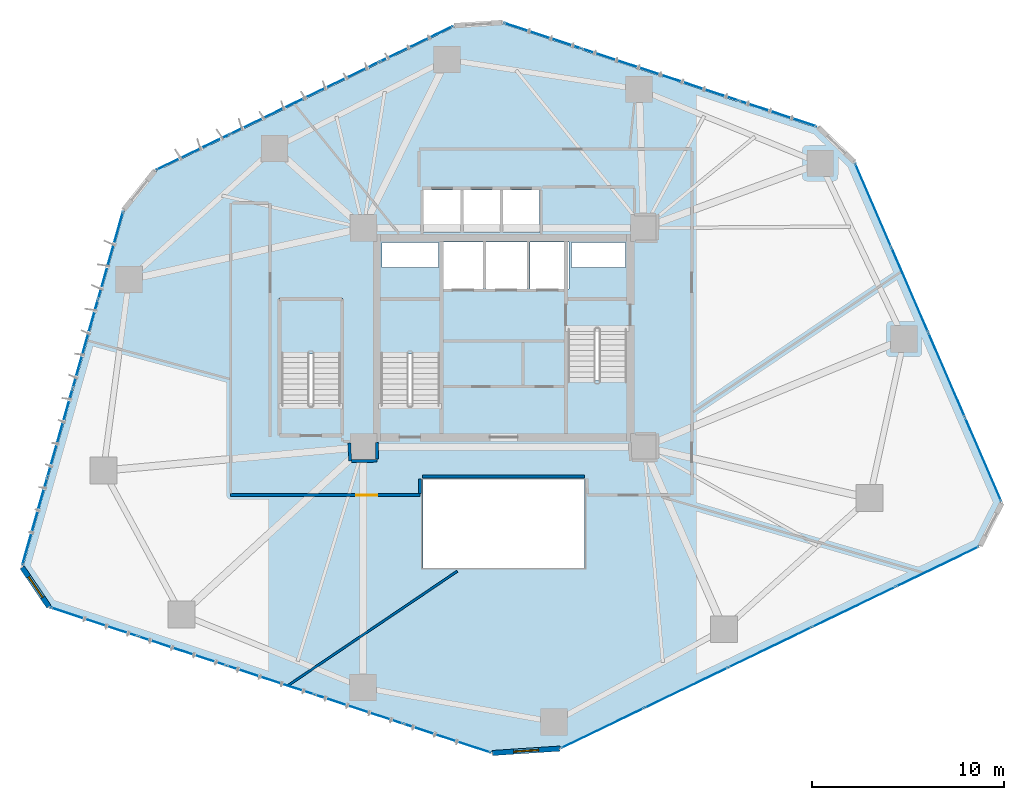
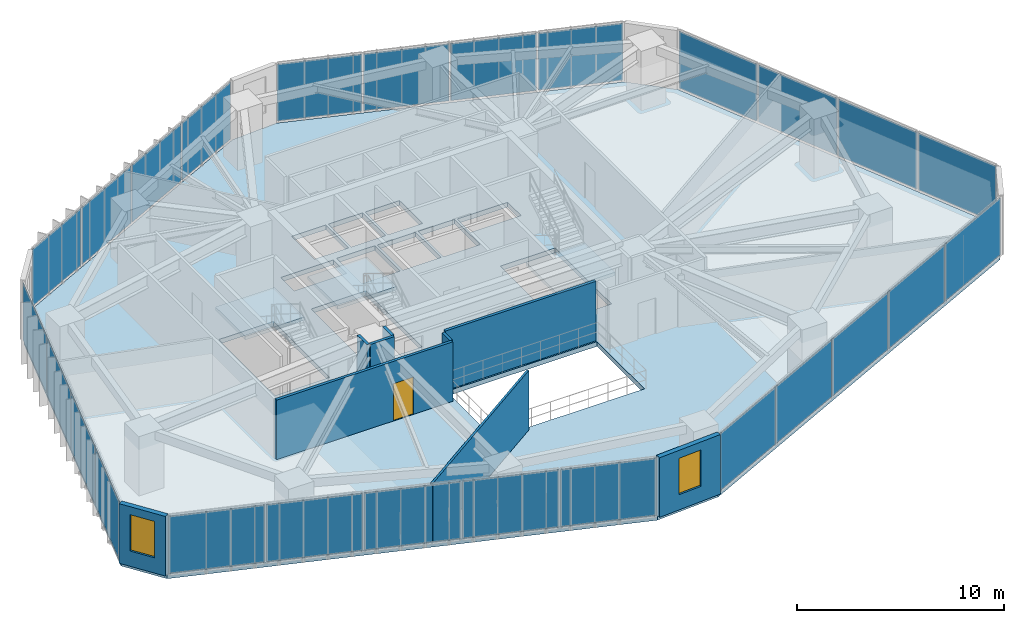
# One storey, part 17 of 23: 26 plates, 9 walls, 4 slabs, 2 windows, 1 door, 3 openings, 9 elements without a shape of their own.
"""IFC4 building model written with IfcOpenShell, lengths in metres."""

from ifc_helpers import new_model, si_unit, direction, frame, frame_2d, origin, origin_2d, place, context, subcontext, project, spatial, polyline, rectangle, outline, extrude, source, transform, mapped, material, layer, layer_set, type_object, type_shapes, element, fill, aggregate, save


model = new_model("IFC4")

# Units and contexts
model_context = context("Model", 3, precision=1e-05, world=origin(), true_north=direction((0.0, 1.0)))
body_context = subcontext(model_context, "Body", "Model", "MODEL_VIEW")
ifc_project = project(units=[si_unit("LENGTHUNIT", "METRE"), si_unit("AREAUNIT", "SQUARE_METRE"), si_unit("VOLUMEUNIT", "CUBIC_METRE"), si_unit("PLANEANGLEUNIT", "RADIAN"), si_unit("MASSUNIT", "GRAM", prefix="KILO")], contexts=[model_context])

# Site, building, storey
site_placement = place(None, origin())
site = spatial("IfcSite", under=ifc_project, at=site_placement, CompositionType="ELEMENT")
building_placement = place(site_placement, origin())
building = spatial("IfcBuilding", under=site, at=building_placement, Name="Talar Marvaseh", CompositionType="ELEMENT")
storey_placement = place(building_placement, frame((0.0, 0.0, 35.39990234375)))
storey = spatial("IfcBuildingStorey", under=building, at=storey_placement, Name="L08", CompositionType="ELEMENT", Elevation=35.39990234375)

# Stair, slab
ifc_material_1 = material(Name="Concrete C40/50", Category="concrete")
stair_type = type_object("IfcStairType", Name="Reinforced Concrete Half-Turn Exit Stair Type B", PredefinedType="HALF_TURN_STAIR", material=ifc_material_1)
stair_1_placement = place(storey_placement, origin())
stair_1 = element("IfcStair", 1, at=stair_1_placement, inside=storey, type_object=stair_type, Name="L08 Tower West Core Exit Stair", PredefinedType="HALF_TURN_STAIR")
ifc_layer_1 = layer(ifc_material_1, 0.199951171875)
ifc_layer_set_1 = layer_set([ifc_layer_1], Name="Concrete C40/50")
slab_type_1 = type_object("IfcSlabType", Name="Reinforced Concrete Stair Half-Landing Slab 200", PredefinedType="LANDING", material=ifc_layer_set_1)
slab_1_placement = place(storey_placement, frame((0.0, 0.0, 1.7001953125)))
slab_1 = element("IfcSlab", 2, at=slab_1_placement, type_object=slab_type_1, Name="ST-1 landing 1", PredefinedType="LANDING", context=body_context, shape_type="SweptSolid", body=[
    extrude(outline(polyline([(22.780029296875, 30.330078125), (22.780029296875, 33.219970703125), (19.47998046875, 33.219970703125), (19.47998046875, 30.330078125), (22.780029296875, 30.330078125)])), origin(), (0.0, 0.0, 1.0), 0.199951171875),
])
aggregate(stair_1, [slab_1])

stair_2_placement = place(storey_placement, origin())
stair_2 = element("IfcStair", 3, at=stair_2_placement, inside=storey, type_object=stair_type, Name="L08 Tower East Core Exit Stair", PredefinedType="HALF_TURN_STAIR")
slab_2_placement = place(storey_placement, frame((0.0, 0.0, 1.7001953125)))
slab_2 = element("IfcSlab", 4, at=slab_2_placement, type_object=slab_type_1, Name="ST-2 landing 1", PredefinedType="LANDING", context=body_context, shape_type="SweptSolid", body=[
    extrude(outline(polyline([(29.219970703125, 28.969970703125), (29.219970703125, 26.080078125), (32.52001953125, 26.080078125), (32.52001953125, 28.969970703125), (29.219970703125, 28.969970703125)])), origin(), (0.0, 0.0, 1.0), 0.199951171875),
])
aggregate(stair_2, [slab_2])

stair_3_placement = place(storey_placement, origin())
stair_3 = element("IfcStair", 5, at=stair_3_placement, inside=storey, type_object=stair_type, Name="L08 Museum & Podium Auxiliary Exit Stair", PredefinedType="HALF_TURN_STAIR")
slab_3_placement = place(storey_placement, frame((0.0, 0.0, 1.7001953125)))
slab_3 = element("IfcSlab", 6, at=slab_3_placement, type_object=slab_type_1, Name="ST-3 landing 1", PredefinedType="LANDING", context=body_context, shape_type="SweptSolid", body=[
    extrude(outline(polyline([(17.6201171875, 30.330078125), (17.6201171875, 33.219970703125), (14.320068359375, 33.219970703125), (14.320068359375, 30.330078125), (17.6201171875, 30.330078125)])), origin(), (0.0, 0.0, 1.0), 0.199951171875),
])
aggregate(stair_3, [slab_3])

# Slab
ifc_layer_2 = layer(ifc_material_1, 0.280029296875)
ifc_layer_set_2 = layer_set([ifc_layer_2], Name="Concrete C40/50")
slab_type_2 = type_object("IfcSlabType", Name="Structural Suspended Floor Slab 280", PredefinedType="FLOOR", material=ifc_layer_set_2)
slab_4_placement = place(storey_placement, frame((0.0, 0.0, -0.27978515625)))
element("IfcSlab", 7, at=slab_4_placement, inside=storey, type_object=slab_type_2, Name="L08 Tower Floor Slab", PredefinedType="FLOOR", context=body_context, shape_type="SweptSolid", body=[
    extrude(outline(polyline([(2.389892578125, 17.2197265625), (0.994384765625, 19.27490234375), (6.27392578125, 37.803955078125), (7.911376953125, 39.853515625), (23.437255859375, 47.364990234375), (25.947998046875, 47.529541015625), (42.321533203125, 42.10888671875), (44.21240234375, 40.29052734375), (51.865234375, 22.609130859375), (50.75, 20.389404296875), (28.927490234375, 9.86767578125), (25.39892578125, 9.636474609375), (2.389892578125, 17.2197265625)]), holes=[polyline([(22.659912109375, 27.64990234375), (22.659912109375, 33.10009765625), (19.60009765625, 33.10009765625), (19.60009765625, 27.64990234375), (22.659912109375, 27.64990234375)]), polyline([(29.340087890625, 31.64990234375), (29.340087890625, 26.199951171875), (32.39990234375, 26.199951171875), (32.39990234375, 31.64990234375), (29.340087890625, 31.64990234375)]), polyline([(17.5, 27.64990234375), (17.5, 33.10009765625), (14.43994140625, 33.10009765625), (14.43994140625, 27.64990234375), (17.5, 27.64990234375)]), polyline([(22.800048828125, 33.719970703125), (24.93994140625, 33.719970703125), (24.93994140625, 36.179931640625), (22.800048828125, 36.179931640625), (22.800048828125, 33.719970703125)]), polyline([(25.080078125, 33.719970703125), (27.219970703125, 33.719970703125), (27.219970703125, 36.179931640625), (25.080078125, 36.179931640625), (25.080078125, 33.719970703125)]), polyline([(27.360107421875, 33.719970703125), (29.39990234375, 33.719970703125), (29.39990234375, 36.179931640625), (27.360107421875, 36.179931640625), (27.360107421875, 33.719970703125)]), polyline([(21.840087890625, 36.659912109375), (23.760009765625, 36.659912109375), (23.760009765625, 38.8798828125), (21.840087890625, 38.8798828125), (21.840087890625, 36.659912109375)]), polyline([(23.89990234375, 36.659912109375), (25.820068359375, 36.659912109375), (25.820068359375, 38.8798828125), (23.89990234375, 38.8798828125), (23.89990234375, 36.659912109375)]), polyline([(25.9599609375, 36.659912109375), (27.8798828125, 36.659912109375), (27.8798828125, 38.8798828125), (25.9599609375, 38.8798828125), (25.9599609375, 36.659912109375)]), polyline([(19.659912109375, 34.840087890625), (22.60009765625, 34.840087890625), (22.60009765625, 36.139892578125), (19.659912109375, 36.139892578125), (19.659912109375, 34.840087890625)]), polyline([(29.52001953125, 34.840087890625), (32.340087890625, 34.840087890625), (32.340087890625, 36.139892578125), (29.52001953125, 36.139892578125), (29.52001953125, 34.840087890625)]), polyline([(21.800048828125, 19.199951171875), (30.199951171875, 19.199951171875), (30.199951171875, 23.800048828125), (21.800048828125, 23.800048828125), (21.800048828125, 19.199951171875)])]), origin(), (0.0, 0.0, 1.0), 0.27978515625),
])

# Curtain wall, plates
ifc_material_2 = material(Name="Architectural Aluminium", Category="aluminium")
ifc_layer_3 = layer(ifc_material_2, 0.219970703125)
ifc_layer_set_3 = layer_set([ifc_layer_3], Name="Architectural Aluminium")
curtain_wall_type = type_object("IfcCurtainWallType", Name="Unitised Low-E Museum Curtain Wall Z1", PredefinedType="NOTDEFINED", material=ifc_layer_set_3)
curtain_wall_1_placement = place(storey_placement, origin())
curtain_wall_1 = element("IfcCurtainWall", 8, at=curtain_wall_1_placement, inside=storey, type_object=curtain_wall_type, Name="L08 Unitised Low-E Museum Curtain Wall Z1", PredefinedType="NOTDEFINED")
ifc_material_3 = material(Name="Laminated Low-E Solar Glass", Category="glass")
ifc_layer_4 = layer(ifc_material_3, 0.028076171875)
ifc_layer_set_4 = layer_set([ifc_layer_4], Name="Laminated Low-E Solar Glass")
plate_type = type_object("IfcPlateType", Name="Double-Glazed Low-E Vision Curtain Panel 28", PredefinedType="CURTAIN_PANEL", material=ifc_layer_set_4)
shared_shape_1 = source(origin(), body_context, "Body", "SweptSolid", [
    extrude(rectangle(XDim=4.696533203125, YDim=0.028076171875, at=origin_2d()), origin(), (0.0, 0.0, 1.0), 3.3701171875),
])
plate_1_placement = place(storey_placement, frame((1.60205078125, 21.626708984375, 0.074951171875), z_axis=(0.0, 0.0, 1.0), x_axis=(0.274025253434, 0.961722496607, 0.0)))
plate_1 = element("IfcPlate", 9, at=plate_1_placement, type_object=plate_type, Name="CW-Z1 panel 1.1", PredefinedType="CURTAIN_PANEL", context=body_context, shape_type="MappedRepresentation", body=[
    mapped(shared_shape_1, transform((0.0, 0.0, 0.0), x_axis=(1.0, 0.0, 0.0), y_axis=(0.0, 1.0, 0.0), z_axis=(0.0, 0.0, 1.0), scale=1.0)),
])
plate_2_placement = place(storey_placement, frame((5.55078125, 35.48486328125, 0.074951171875), z_axis=(0.0, 0.0, 1.0), x_axis=(0.274025253434, 0.961722496607, 0.0)))
plate_2 = element("IfcPlate", 10, at=plate_2_placement, type_object=plate_type, Name="CW-Z1 panel 4.1", PredefinedType="CURTAIN_PANEL", context=body_context, shape_type="MappedRepresentation", body=[
    mapped(shared_shape_1, transform((0.0, 0.0, 0.0), x_axis=(1.0, 0.0, 0.0), y_axis=(0.0, 1.0, 0.0), z_axis=(0.0, 0.0, 1.0), scale=1.0)),
])

curtain_wall_2_placement = place(storey_placement, origin())
curtain_wall_2 = element("IfcCurtainWall", 11, at=curtain_wall_2_placement, inside=storey, type_object=curtain_wall_type, Name="L08 Unitised Low-E Museum Curtain Wall Z1", PredefinedType="NOTDEFINED")
plate_3_placement = place(storey_placement, frame((45.232177734375, 38.085693359375, 0.074951171875), z_axis=(0.0, 0.0, 1.0), x_axis=(0.397209891503, -0.917727793026, 0.0)))
plate_3 = element("IfcPlate", 12, at=plate_3_placement, type_object=plate_type, Name="CW-Z1 panel 1.1", PredefinedType="CURTAIN_PANEL", context=body_context, shape_type="MappedRepresentation", body=[
    mapped(shared_shape_1, transform((0.0, 0.0, 0.0), x_axis=(1.0, 0.0, 0.0), y_axis=(0.0, 1.0, 0.0), z_axis=(0.0, 0.0, 1.0), scale=1.0)),
])
plate_4_placement = place(storey_placement, frame((50.955810546875, 24.861572265625, 0.074951171875), z_axis=(0.0, 0.0, 1.0), x_axis=(0.397209891503, -0.917727793026, 0.0)))
plate_4 = element("IfcPlate", 13, at=plate_4_placement, type_object=plate_type, Name="CW-Z1 panel 4.1", PredefinedType="CURTAIN_PANEL", context=body_context, shape_type="MappedRepresentation", body=[
    mapped(shared_shape_1, transform((0.0, 0.0, 0.0), x_axis=(1.0, 0.0, 0.0), y_axis=(0.0, 1.0, 0.0), z_axis=(0.0, 0.0, 1.0), scale=1.0)),
])

# Plate
shared_shape_2 = source(origin(), body_context, "Body", "SweptSolid", [
    extrude(rectangle(XDim=4.736572265625, YDim=0.028076171875, at=origin_2d()), origin(), (0.0, 0.0, 1.0), 3.3701171875),
])
plate_5_placement = place(storey_placement, frame((2.91650390625, 26.23974609375, 0.074951171875), z_axis=(0.0, 0.0, 1.0), x_axis=(0.274025253434, 0.961722496607, 0.0)))
plate_5 = element("IfcPlate", 14, at=plate_5_placement, type_object=plate_type, Name="CW-Z1 panel 2.1", PredefinedType="CURTAIN_PANEL", context=body_context, shape_type="MappedRepresentation", body=[
    mapped(shared_shape_2, transform((0.0, 0.0, 0.0), x_axis=(1.0, 0.0, 0.0), y_axis=(0.0, 1.0, 0.0), z_axis=(0.0, 0.0, 1.0), scale=1.0)),
])

plate_6_placement = place(storey_placement, frame((4.236328125, 30.871826171875, 0.074951171875), z_axis=(0.0, 0.0, 1.0), x_axis=(0.274025253434, 0.961722496607, 0.0)))
plate_6 = element("IfcPlate", 15, at=plate_6_placement, type_object=plate_type, Name="CW-Z1 panel 3.1", PredefinedType="CURTAIN_PANEL", context=body_context, shape_type="MappedRepresentation", body=[
    mapped(shared_shape_2, transform((0.0, 0.0, 0.0), x_axis=(1.0, 0.0, 0.0), y_axis=(0.0, 1.0, 0.0), z_axis=(0.0, 0.0, 1.0), scale=1.0)),
])

aggregate(curtain_wall_1, [plate_1, plate_5, plate_6, plate_2])

plate_7_placement = place(storey_placement, frame((47.137451171875, 33.683837890625, 0.074951171875), z_axis=(0.0, 0.0, 1.0), x_axis=(0.397209891503, -0.917727793026, 0.0)))
plate_7 = element("IfcPlate", 16, at=plate_7_placement, type_object=plate_type, Name="CW-Z1 panel 2.1", PredefinedType="CURTAIN_PANEL", context=body_context, shape_type="MappedRepresentation", body=[
    mapped(shared_shape_2, transform((0.0, 0.0, 0.0), x_axis=(1.0, 0.0, 0.0), y_axis=(0.0, 1.0, 0.0), z_axis=(0.0, 0.0, 1.0), scale=1.0)),
])

plate_8_placement = place(storey_placement, frame((49.050537109375, 29.263427734375, 0.074951171875), z_axis=(0.0, 0.0, 1.0), x_axis=(0.397209891503, -0.917727793026, 0.0)))
plate_8 = element("IfcPlate", 17, at=plate_8_placement, type_object=plate_type, Name="CW-Z1 panel 3.1", PredefinedType="CURTAIN_PANEL", context=body_context, shape_type="MappedRepresentation", body=[
    mapped(shared_shape_2, transform((0.0, 0.0, 0.0), x_axis=(1.0, 0.0, 0.0), y_axis=(0.0, 1.0, 0.0), z_axis=(0.0, 0.0, 1.0), scale=1.0)),
])

aggregate(curtain_wall_2, [plate_3, plate_7, plate_8, plate_4])

# Curtain wall, plates
curtain_wall_3_placement = place(storey_placement, origin())
curtain_wall_3 = element("IfcCurtainWall", 18, at=curtain_wall_3_placement, inside=storey, type_object=curtain_wall_type, Name="L08 Unitised Low-E Museum Curtain Wall Z1", PredefinedType="NOTDEFINED")
shared_shape_3 = source(origin(), body_context, "Body", "SweptSolid", [
    extrude(rectangle(XDim=4.19189453125, YDim=0.028076171875, at=origin_2d()), origin(), (0.0, 0.0, 1.0), 3.3701171875),
])
plate_9_placement = place(storey_placement, frame((9.843994140625, 40.85498046875, 0.074951171875), z_axis=(0.0, 0.0, 1.0), x_axis=(0.900183815333, 0.435510159023, 0.0)))
plate_9 = element("IfcPlate", 19, at=plate_9_placement, type_object=plate_type, Name="CW-Z1 panel 1.1", PredefinedType="CURTAIN_PANEL", context=body_context, shape_type="MappedRepresentation", body=[
    mapped(shared_shape_3, transform((0.0, 0.0, 0.0), x_axis=(1.0, 0.0, 0.0), y_axis=(0.0, 1.0, 0.0), z_axis=(0.0, 0.0, 1.0), scale=1.0)),
])
plate_10_placement = place(storey_placement, frame((21.452392578125, 46.47119140625, 0.074951171875), z_axis=(0.0, 0.0, 1.0), x_axis=(0.900183815333, 0.435510159023, 0.0)))
plate_10 = element("IfcPlate", 20, at=plate_10_placement, type_object=plate_type, Name="CW-Z1 panel 4.1", PredefinedType="CURTAIN_PANEL", context=body_context, shape_type="MappedRepresentation", body=[
    mapped(shared_shape_3, transform((0.0, 0.0, 0.0), x_axis=(1.0, 0.0, 0.0), y_axis=(0.0, 1.0, 0.0), z_axis=(0.0, 0.0, 1.0), scale=1.0)),
])

curtain_wall_4_placement = place(storey_placement, origin())
curtain_wall_4 = element("IfcCurtainWall", 21, at=curtain_wall_4_placement, inside=storey, type_object=curtain_wall_type, Name="L08 Unitised Low-E Museum Curtain Wall Z1", PredefinedType="NOTDEFINED")
plate_11_placement = place(storey_placement, frame((28.032470703125, 46.902587890625, 0.074951171875), z_axis=(0.0, 0.0, 1.0), x_axis=(0.949327783451, -0.314287701904, 0.0)))
plate_11 = element("IfcPlate", 22, at=plate_11_placement, type_object=plate_type, Name="CW-Z1 panel 1.1", PredefinedType="CURTAIN_PANEL", context=body_context, shape_type="MappedRepresentation", body=[
    mapped(shared_shape_3, transform((0.0, 0.0, 0.0), x_axis=(1.0, 0.0, 0.0), y_axis=(0.0, 1.0, 0.0), z_axis=(0.0, 0.0, 1.0), scale=1.0)),
])
plate_12_placement = place(storey_placement, frame((40.274658203125, 42.849609375, 0.074951171875), z_axis=(0.0, 0.0, 1.0), x_axis=(0.949327783451, -0.314287701904, 0.0)))
plate_12 = element("IfcPlate", 23, at=plate_12_placement, type_object=plate_type, Name="CW-Z1 panel 4.1", PredefinedType="CURTAIN_PANEL", context=body_context, shape_type="MappedRepresentation", body=[
    mapped(shared_shape_3, transform((0.0, 0.0, 0.0), x_axis=(1.0, 0.0, 0.0), y_axis=(0.0, 1.0, 0.0), z_axis=(0.0, 0.0, 1.0), scale=1.0)),
])

# Plate
shared_shape_4 = source(origin(), body_context, "Body", "SweptSolid", [
    extrude(rectangle(XDim=4.23193359375, YDim=0.028076171875, at=origin_2d()), origin(), (0.0, 0.0, 1.0), 3.3701171875),
])
plate_13_placement = place(storey_placement, frame((13.70751953125, 42.72412109375, 0.074951171875), z_axis=(0.0, 0.0, 1.0), x_axis=(0.900183815333, 0.435510159023, 0.0)))
plate_13 = element("IfcPlate", 24, at=plate_13_placement, type_object=plate_type, Name="CW-Z1 panel 2.1", PredefinedType="CURTAIN_PANEL", context=body_context, shape_type="MappedRepresentation", body=[
    mapped(shared_shape_4, transform((0.0, 0.0, 0.0), x_axis=(1.0, 0.0, 0.0), y_axis=(0.0, 1.0, 0.0), z_axis=(0.0, 0.0, 1.0), scale=1.0)),
])

plate_14_placement = place(storey_placement, frame((17.5888671875, 44.60205078125, 0.074951171875), z_axis=(0.0, 0.0, 1.0), x_axis=(0.900183815333, 0.435510159023, 0.0)))
plate_14 = element("IfcPlate", 25, at=plate_14_placement, type_object=plate_type, Name="CW-Z1 panel 3.1", PredefinedType="CURTAIN_PANEL", context=body_context, shape_type="MappedRepresentation", body=[
    mapped(shared_shape_4, transform((0.0, 0.0, 0.0), x_axis=(1.0, 0.0, 0.0), y_axis=(0.0, 1.0, 0.0), z_axis=(0.0, 0.0, 1.0), scale=1.0)),
])

aggregate(curtain_wall_3, [plate_9, plate_13, plate_14, plate_10])

plate_15_placement = place(storey_placement, frame((32.10693359375, 45.5537109375, 0.074951171875), z_axis=(0.0, 0.0, 1.0), x_axis=(0.949327783451, -0.314287701904, 0.0)))
plate_15 = element("IfcPlate", 26, at=plate_15_placement, type_object=plate_type, Name="CW-Z1 panel 2.1", PredefinedType="CURTAIN_PANEL", context=body_context, shape_type="MappedRepresentation", body=[
    mapped(shared_shape_4, transform((0.0, 0.0, 0.0), x_axis=(1.0, 0.0, 0.0), y_axis=(0.0, 1.0, 0.0), z_axis=(0.0, 0.0, 1.0), scale=1.0)),
])

plate_16_placement = place(storey_placement, frame((36.2001953125, 44.198486328125, 0.074951171875), z_axis=(0.0, 0.0, 1.0), x_axis=(0.949327783451, -0.314287701904, 0.0)))
plate_16 = element("IfcPlate", 27, at=plate_16_placement, type_object=plate_type, Name="CW-Z1 panel 3.1", PredefinedType="CURTAIN_PANEL", context=body_context, shape_type="MappedRepresentation", body=[
    mapped(shared_shape_4, transform((0.0, 0.0, 0.0), x_axis=(1.0, 0.0, 0.0), y_axis=(0.0, 1.0, 0.0), z_axis=(0.0, 0.0, 1.0), scale=1.0)),
])

aggregate(curtain_wall_4, [plate_11, plate_15, plate_16, plate_12])

# Curtain wall, plates
curtain_wall_5_placement = place(storey_placement, origin())
curtain_wall_5 = element("IfcCurtainWall", 28, at=curtain_wall_5_placement, inside=storey, type_object=curtain_wall_type, Name="L08 Unitised Low-E Museum Curtain Wall Z1", PredefinedType="NOTDEFINED")
shared_shape_5 = source(origin(), body_context, "Body", "SweptSolid", [
    extrude(rectangle(XDim=4.725341796875, YDim=0.028076171875, at=origin_2d()), origin(), (0.0, 0.0, 1.0), 3.3701171875),
])
plate_17_placement = place(storey_placement, frame((48.575927734375, 19.274658203125, 0.074951171875), z_axis=(0.0, 0.0, 1.0), x_axis=(-0.900764846267, -0.434307139856, 0.0)))
plate_17 = element("IfcPlate", 29, at=plate_17_placement, type_object=plate_type, Name="CW-Z1 panel 1.1", PredefinedType="CURTAIN_PANEL", context=body_context, shape_type="MappedRepresentation", body=[
    mapped(shared_shape_5, transform((0.0, 0.0, 0.0), x_axis=(1.0, 0.0, 0.0), y_axis=(0.0, 1.0, 0.0), z_axis=(0.0, 0.0, 1.0), scale=1.0)),
])
plate_18_placement = place(storey_placement, frame((31.15380859375, 10.87451171875, 0.074951171875), z_axis=(0.0, 0.0, 1.0), x_axis=(-0.900764846267, -0.434307139856, 0.0)))
plate_18 = element("IfcPlate", 30, at=plate_18_placement, type_object=plate_type, Name="CW-Z1 panel 5.1", PredefinedType="CURTAIN_PANEL", context=body_context, shape_type="MappedRepresentation", body=[
    mapped(shared_shape_5, transform((0.0, 0.0, 0.0), x_axis=(1.0, 0.0, 0.0), y_axis=(0.0, 1.0, 0.0), z_axis=(0.0, 0.0, 1.0), scale=1.0)),
])

curtain_wall_6_placement = place(storey_placement, origin())
curtain_wall_6 = element("IfcCurtainWall", 31, at=curtain_wall_6_placement, inside=storey, type_object=curtain_wall_type, Name="L08 Unitised Low-E Museum Curtain Wall Z1", PredefinedType="NOTDEFINED")
plate_19_placement = place(storey_placement, frame((23.060302734375, 10.343994140625, 0.074951171875), z_axis=(0.0, 0.0, 1.0), x_axis=(-0.949746946756, 0.313018748843, 0.0)))
plate_19 = element("IfcPlate", 32, at=plate_19_placement, type_object=plate_type, Name="CW-Z1 panel 1.1", PredefinedType="CURTAIN_PANEL", context=body_context, shape_type="MappedRepresentation", body=[
    mapped(shared_shape_5, transform((0.0, 0.0, 0.0), x_axis=(1.0, 0.0, 0.0), y_axis=(0.0, 1.0, 0.0), z_axis=(0.0, 0.0, 1.0), scale=1.0)),
])
plate_20_placement = place(storey_placement, frame((4.69091796875, 16.398193359375, 0.074951171875), z_axis=(0.0, 0.0, 1.0), x_axis=(-0.949746946756, 0.313018748843, 0.0)))
plate_20 = element("IfcPlate", 33, at=plate_20_placement, type_object=plate_type, Name="CW-Z1 panel 5.1", PredefinedType="CURTAIN_PANEL", context=body_context, shape_type="MappedRepresentation", body=[
    mapped(shared_shape_5, transform((0.0, 0.0, 0.0), x_axis=(1.0, 0.0, 0.0), y_axis=(0.0, 1.0, 0.0), z_axis=(0.0, 0.0, 1.0), scale=1.0)),
])

# Plate
shared_shape_6 = source(origin(), body_context, "Body", "SweptSolid", [
    extrude(rectangle(XDim=4.765380859375, YDim=0.028076171875, at=origin_2d()), origin(), (0.0, 0.0, 1.0), 3.3701171875),
])
type_shapes(plate_type, [shared_shape_1, shared_shape_2, shared_shape_3, shared_shape_4, shared_shape_5, shared_shape_6])
plate_21_placement = place(storey_placement, frame((44.229248046875, 17.178955078125, 0.074951171875), z_axis=(0.0, 0.0, 1.0), x_axis=(-0.900764846267, -0.434307139856, 0.0)))
plate_21 = element("IfcPlate", 34, at=plate_21_placement, type_object=plate_type, Name="CW-Z1 panel 2.1", PredefinedType="CURTAIN_PANEL", context=body_context, shape_type="MappedRepresentation", body=[
    mapped(shared_shape_6, transform((0.0, 0.0, 0.0), x_axis=(1.0, 0.0, 0.0), y_axis=(0.0, 1.0, 0.0), z_axis=(0.0, 0.0, 1.0), scale=1.0)),
])

plate_22_placement = place(storey_placement, frame((39.86474609375, 15.07470703125, 0.074951171875), z_axis=(0.0, 0.0, 1.0), x_axis=(-0.900764846267, -0.434307139856, 0.0)))
plate_22 = element("IfcPlate", 35, at=plate_22_placement, type_object=plate_type, Name="CW-Z1 panel 3.1", PredefinedType="CURTAIN_PANEL", context=body_context, shape_type="MappedRepresentation", body=[
    mapped(shared_shape_6, transform((0.0, 0.0, 0.0), x_axis=(1.0, 0.0, 0.0), y_axis=(0.0, 1.0, 0.0), z_axis=(0.0, 0.0, 1.0), scale=1.0)),
])

plate_23_placement = place(storey_placement, frame((35.500244140625, 12.97021484375, 0.074951171875), z_axis=(0.0, 0.0, 1.0), x_axis=(-0.900764846267, -0.434307139856, 0.0)))
plate_23 = element("IfcPlate", 36, at=plate_23_placement, type_object=plate_type, Name="CW-Z1 panel 4.1", PredefinedType="CURTAIN_PANEL", context=body_context, shape_type="MappedRepresentation", body=[
    mapped(shared_shape_6, transform((0.0, 0.0, 0.0), x_axis=(1.0, 0.0, 0.0), y_axis=(0.0, 1.0, 0.0), z_axis=(0.0, 0.0, 1.0), scale=1.0)),
])

aggregate(curtain_wall_5, [plate_17, plate_21, plate_22, plate_23, plate_18])

plate_24_placement = place(storey_placement, frame((18.4775390625, 11.8544921875, 0.074951171875), z_axis=(0.0, 0.0, 1.0), x_axis=(-0.949746946756, 0.313018748843, 0.0)))
plate_24 = element("IfcPlate", 37, at=plate_24_placement, type_object=plate_type, Name="CW-Z1 panel 2.1", PredefinedType="CURTAIN_PANEL", context=body_context, shape_type="MappedRepresentation", body=[
    mapped(shared_shape_6, transform((0.0, 0.0, 0.0), x_axis=(1.0, 0.0, 0.0), y_axis=(0.0, 1.0, 0.0), z_axis=(0.0, 0.0, 1.0), scale=1.0)),
])

plate_25_placement = place(storey_placement, frame((13.87548828125, 13.37109375, 0.074951171875), z_axis=(0.0, 0.0, 1.0), x_axis=(-0.949746946756, 0.313018748843, 0.0)))
plate_25 = element("IfcPlate", 38, at=plate_25_placement, type_object=plate_type, Name="CW-Z1 panel 3.1", PredefinedType="CURTAIN_PANEL", context=body_context, shape_type="MappedRepresentation", body=[
    mapped(shared_shape_6, transform((0.0, 0.0, 0.0), x_axis=(1.0, 0.0, 0.0), y_axis=(0.0, 1.0, 0.0), z_axis=(0.0, 0.0, 1.0), scale=1.0)),
])

plate_26_placement = place(storey_placement, frame((9.273681640625, 14.8876953125, 0.074951171875), z_axis=(0.0, 0.0, 1.0), x_axis=(-0.949746946756, 0.313018748843, 0.0)))
plate_26 = element("IfcPlate", 39, at=plate_26_placement, type_object=plate_type, Name="CW-Z1 panel 4.1", PredefinedType="CURTAIN_PANEL", context=body_context, shape_type="MappedRepresentation", body=[
    mapped(shared_shape_6, transform((0.0, 0.0, 0.0), x_axis=(1.0, 0.0, 0.0), y_axis=(0.0, 1.0, 0.0), z_axis=(0.0, 0.0, 1.0), scale=1.0)),
])

aggregate(curtain_wall_6, [plate_19, plate_24, plate_25, plate_26, plate_20])

# Wall, opening, window
ifc_material_4 = material(Name="Precast concrete C45/55", Category="concrete")
ifc_layer_5 = layer(ifc_material_4, 0.27001953125)
ifc_layer_set_5 = layer_set([ifc_layer_5], Name="Precast concrete C45/55")
wall_type_1 = type_object("IfcWallType", Name="Chamfered Hexagonal Corner Pier Wall Z1 270", PredefinedType="SOLIDWALL", material=ifc_layer_set_5)
wall_1_placement = place(storey_placement, frame((2.340087890625, 17.18603515625, 0.0), z_axis=(0.0, 0.0, 1.0), x_axis=(-0.561688871749, 0.827348542849, 0.0)))
wall_1 = element("IfcWall", 40, at=wall_1_placement, inside=storey, type_object=wall_type_1, Name="L08 Chamfered Corner Limestone Pier 1", PredefinedType="SOLIDWALL", context=body_context, shape_type="SweptSolid", body=[
    extrude(rectangle(XDim=2.484130859375, YDim=0.27001953125, at=frame_2d((1.2421875, 0.0))), origin(), (0.0, 0.0, 1.0), 3.52001953125),
])
opening_1_placement = place(wall_1_placement, frame((0.592041015625, 0.0, 0.89990234375)))
opening_1 = element("IfcOpeningElement", 41, at=opening_1_placement, cuts=wall_1, Name="Opening WN-CHM13", PredefinedType="OPENING", context=body_context, shape_type="SweptSolid", body=[
    extrude(rectangle(XDim=1.300048828125, YDim=2.14990234375, at=frame_2d((0.64990234375, 1.074951171875))), frame((0.0, 0.14501953125, 0.0), z_axis=(0.0, -1.0, 0.0), x_axis=(1.0, 0.0, 0.0)), (0.0, 0.0, 1.0), 0.2900390625),
])
window_type = type_object("IfcWindowType", Name="Zone 1 Chamfered Corner Slot Window 1300x2150", PartitioningType="SINGLE_PANEL", PredefinedType="WINDOW", material=ifc_material_3)
shared_shape_7 = source(origin(), body_context, "Body", "SweptSolid", [
    extrude(rectangle(XDim=1.300048828125, YDim=2.14990234375, at=frame_2d((0.64990234375, 1.074951171875))), frame((0.0, 0.030029296875, 0.0), z_axis=(0.0, -1.0, 0.0), x_axis=(1.0, 0.0, 0.0)), (0.0, 0.0, 1.0), 0.06005859375),
])
type_shapes(window_type, [shared_shape_7])
window_1_placement = place(opening_1_placement, origin())
window_1 = element("IfcWindow", 42, at=window_1_placement, inside=storey, type_object=window_type, Name="L08 Chamfered Corner Slot Window", OverallHeight=2.14990234375, OverallWidth=1.300048828125, PartitioningType="SINGLE_PANEL", PredefinedType="WINDOW", context=body_context, shape_type="MappedRepresentation", body=[
    mapped(shared_shape_7, transform((0.0, 0.0, 0.0), x_axis=(1.0, 0.0, 0.0), y_axis=(0.0, 1.0, 0.0), z_axis=(0.0, 0.0, 1.0), scale=1.0)),
])
fill(opening_1, window_1)

wall_2_placement = place(storey_placement, frame((28.931396484375, 9.807861328125, 0.0), z_axis=(0.0, 0.0, 1.0), x_axis=(-0.997855766481, -0.065451274242, 0.0)))
wall_2 = element("IfcWall", 43, at=wall_2_placement, inside=storey, type_object=wall_type_1, Name="L08 Chamfered Corner Limestone Pier 6", PredefinedType="SOLIDWALL", context=body_context, shape_type="SweptSolid", body=[
    extrude(rectangle(XDim=3.5361328125, YDim=0.27001953125, at=frame_2d((1.76806640625, 0.0))), origin(), (0.0, 0.0, 1.0), 3.52001953125),
])
opening_2_placement = place(wall_2_placement, frame((1.117919921875, 0.0, 0.89990234375)))
opening_2 = element("IfcOpeningElement", 44, at=opening_2_placement, cuts=wall_2, Name="Opening WN-CHM13", PredefinedType="OPENING", context=body_context, shape_type="SweptSolid", body=[
    extrude(rectangle(XDim=1.300048828125, YDim=2.14990234375, at=frame_2d((0.64990234375, 1.074951171875))), frame((0.0, 0.14501953125, 0.0), z_axis=(0.0, -1.0, 0.0), x_axis=(1.0, 0.0, 0.0)), (0.0, 0.0, 1.0), 0.2900390625),
])
window_2_placement = place(opening_2_placement, origin())
window_2 = element("IfcWindow", 45, at=window_2_placement, inside=storey, type_object=window_type, Name="L08 Chamfered Corner Slot Window", OverallHeight=2.14990234375, OverallWidth=1.300048828125, PartitioningType="SINGLE_PANEL", PredefinedType="WINDOW", context=body_context, shape_type="MappedRepresentation", body=[
    mapped(shared_shape_7, transform((0.0, 0.0, 0.0), x_axis=(1.0, 0.0, 0.0), y_axis=(0.0, 1.0, 0.0), z_axis=(0.0, 0.0, 1.0), scale=1.0)),
])
fill(opening_2, window_2)

# Wall, opening, door
ifc_material_5 = material(Name="Gypsum Board Partition Assembly")
ifc_layer_6 = layer(ifc_material_5, 0.155029296875)
ifc_layer_set_6 = layer_set([ifc_layer_6], Name="Gypsum Board Partition Assembly")
wall_type_2 = type_object("IfcWallType", Name="Corridor Fire-Rated Acoustic Partition 155", PredefinedType="PARTITIONING", material=ifc_layer_set_6)
wall_3_placement = place(storey_placement, frame((21.639892578125, 23.0, 0.0), z_axis=(0.0, 0.0, 1.0), x_axis=(-1.0, 0.0, 0.0)))
wall_3 = element("IfcWall", 46, at=wall_3_placement, inside=storey, type_object=wall_type_2, Name="L08 Interior Partition Wall", PredefinedType="PARTITIONING", context=body_context, shape_type="SweptSolid", body=[
    extrude(rectangle(XDim=9.83984375, YDim=0.155029296875, at=frame_2d((4.919921875, 0.0))), origin(), (0.0, 0.0, 1.0), 3.52001953125),
])
opening_3_placement = place(wall_3_placement, frame((2.205078125, 0.0, 0.0)))
opening_3 = element("IfcOpeningElement", 47, at=opening_3_placement, cuts=wall_3, Name="Opening DR-RM110", PredefinedType="OPENING", context=body_context, shape_type="SweptSolid", body=[
    extrude(rectangle(XDim=1.10009765625, YDim=2.199951171875, at=frame_2d((0.550048828125, 1.10009765625))), frame((0.0, 0.08740234375, 0.0), z_axis=(0.0, -1.0, 0.0), x_axis=(1.0, 0.0, 0.0)), (0.0, 0.0, 1.0), 0.175048828125),
])
ifc_material_6 = material(Name="Acoustic Engineered Oak Timber", Category="wood")
door_type = type_object("IfcDoorType", Name="Assembly and Reading Hall Door 1100x2200", OperationType="NOTDEFINED", PredefinedType="DOOR", material=ifc_material_6)
shared_shape_8 = source(origin(), body_context, "Body", "SweptSolid", [
    extrude(rectangle(XDim=1.10009765625, YDim=2.199951171875, at=frame_2d((0.550048828125, 1.10009765625))), frame((0.0, 0.02490234375, 0.0), z_axis=(0.0, -1.0, 0.0), x_axis=(1.0, 0.0, 0.0)), (0.0, 0.0, 1.0), 0.050048828125),
])
type_shapes(door_type, [shared_shape_8])
door_placement = place(opening_3_placement, origin())
door = element("IfcDoor", 48, at=door_placement, inside=storey, type_object=door_type, Name="L08 Exhibition Gallery Door", OperationType="SINGLE_SWING_LEFT", OverallHeight=2.199951171875, OverallWidth=1.10009765625, PredefinedType="DOOR", context=body_context, shape_type="MappedRepresentation", body=[
    mapped(shared_shape_8, transform((0.0, 0.0, 0.0), x_axis=(1.0, 0.0, 0.0), y_axis=(0.0, 1.0, 0.0), z_axis=(0.0, 0.0, 1.0), scale=1.0)),
])
fill(opening_3, door)

# Walls
wall_4_placement = place(storey_placement, frame((30.199951171875, 23.9599609375, 0.0), z_axis=(0.0, 0.0, 1.0), x_axis=(-0.999999996213, -8.7029677e-05, 0.0)))
element("IfcWall", 49, at=wall_4_placement, inside=storey, type_object=wall_type_2, Name="L08 Interior Partition Wall", PredefinedType="PARTITIONING", context=body_context, shape_type="SweptSolid", body=[
    extrude(rectangle(XDim=8.415771484375, YDim=0.155029296875, at=frame_2d((4.2080078125, 0.0))), origin(), (0.0, 0.0, 1.0), 3.52001953125),
])
wall_5_placement = place(storey_placement, frame((21.64306640625, 23.831298828125, 0.0), z_axis=(0.0, 0.0, 1.0), x_axis=(-0.00359122725, -0.999993551523, 0.0)))
element("IfcWall", 50, at=wall_5_placement, inside=storey, type_object=wall_type_2, Name="L08 Interior Partition Wall", PredefinedType="PARTITIONING", context=body_context, shape_type="SweptSolid", body=[
    extrude(rectangle(XDim=0.747802734375, YDim=0.155029296875, at=frame_2d((0.3740234375, 0.0))), origin(), (0.0, 0.0, 1.0), 3.52001953125),
])
wall_6_placement = place(storey_placement, frame((17.986083984375, 25.716552734375, 0.0), z_axis=(0.0, 0.0, 1.0), x_axis=(0.013367088724, -0.999910656478, 0.0)))
element("IfcWall", 51, at=wall_6_placement, inside=storey, type_object=wall_type_2, Name="L08 Interior Partition Wall", PredefinedType="PARTITIONING", context=body_context, shape_type="SweptSolid", body=[
    extrude(rectangle(XDim=0.931396484375, YDim=0.155029296875, at=frame_2d((0.4658203125, 0.0))), origin(), (0.0, 0.0, 1.0), 3.52001953125),
])
wall_7_placement = place(storey_placement, frame((18.08203125, 24.78515625, 0.0), z_axis=(0.0, 0.0, 1.0), x_axis=(0.99999830547, 0.001840939443, 0.0)))
element("IfcWall", 52, at=wall_7_placement, inside=storey, type_object=wall_type_2, Name="L08 Interior Partition Wall", PredefinedType="PARTITIONING", context=body_context, shape_type="SweptSolid", body=[
    extrude(rectangle(XDim=1.326171875, YDim=0.155029296875, at=frame_2d((0.6630859375, 0.0))), origin(), (0.0, 0.0, 1.0), 3.52001953125),
])
wall_8_placement = place(storey_placement, frame((19.408935546875, 24.87109375, 0.0), z_axis=(0.0, 0.0, 1.0), x_axis=(0.007106130977, 0.999974751133, 0.0)))
element("IfcWall", 53, at=wall_8_placement, inside=storey, type_object=wall_type_2, Name="L08 Interior Partition Wall", PredefinedType="PARTITIONING", context=body_context, shape_type="SweptSolid", body=[
    extrude(rectangle(XDim=0.85888671875, YDim=0.155029296875, at=frame_2d((0.429443359375, 0.0))), origin(), (0.0, 0.0, 1.0), 3.52001953125),
])
ifc_layer_7 = layer(ifc_material_5, 0.1201171875)
ifc_layer_set_7 = layer_set([ifc_layer_7], Name="Gypsum Board Partition Assembly")
wall_type_3 = type_object("IfcWallType", Name="Demountable Studio Room Partition 120", PredefinedType="PARTITIONING", material=ifc_layer_set_7)
wall_9_placement = place(storey_placement, frame((23.590087890625, 19.0400390625, 0.0), z_axis=(0.0, 0.0, 1.0), x_axis=(-0.828781024632, -0.559573063335, 0.0)))
element("IfcWall", 54, at=wall_9_placement, inside=storey, type_object=wall_type_3, Name="L08 Interior Partition Wall", PredefinedType="PARTITIONING", context=body_context, shape_type="SweptSolid", body=[
    extrude(rectangle(XDim=10.627685546875, YDim=0.1201171875, at=frame_2d((5.31396484375, 0.0))), origin(), (0.0, 0.0, 1.0), 3.52001953125),
])

save(model, "model.ifc")
